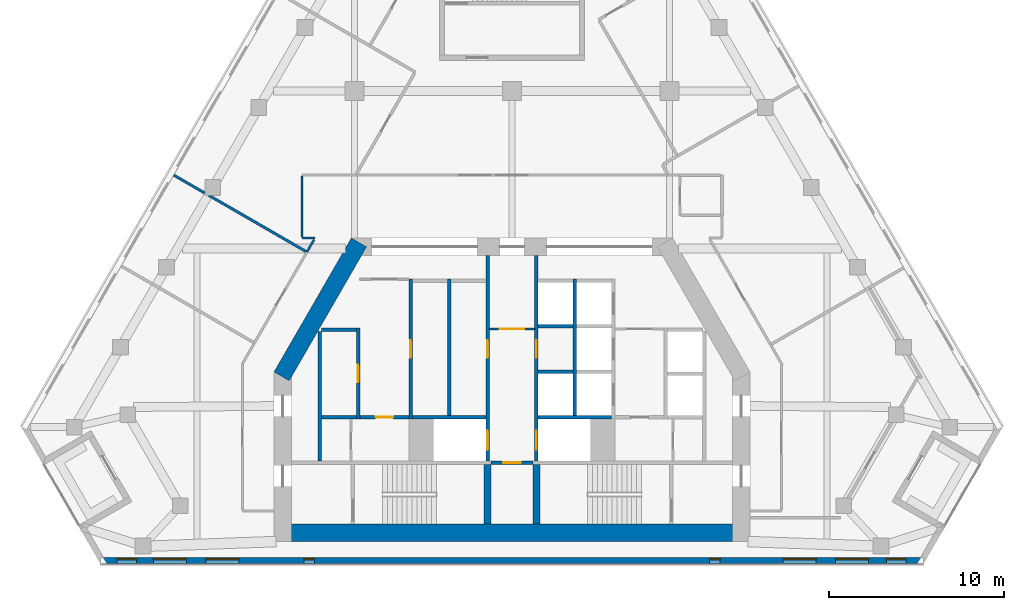
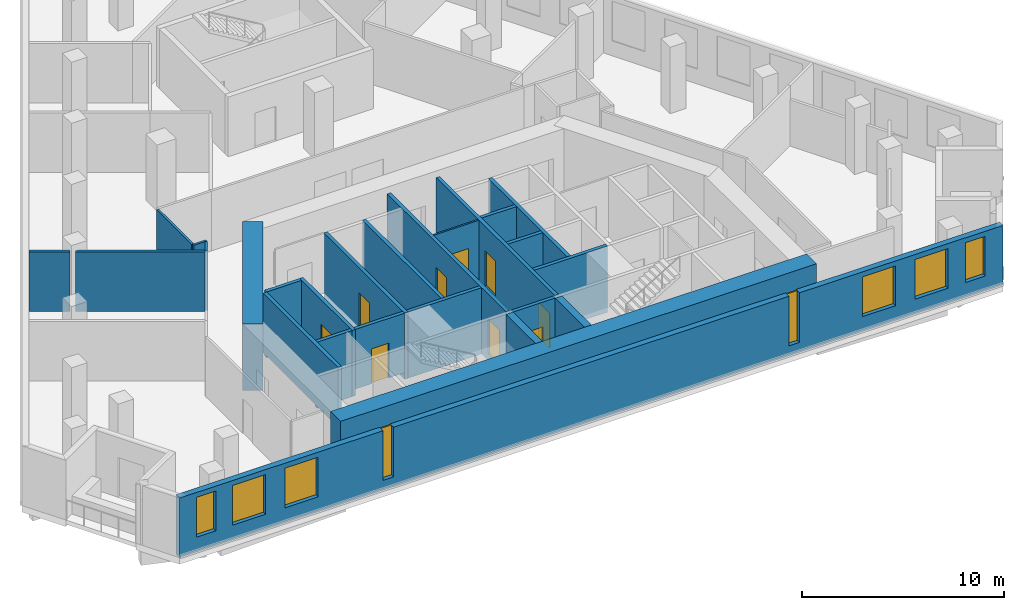
# One storey, part 4 of 9: 26 walls, 9 doors, 8 windows, 17 openings.
"""IFC4 building model written with IfcOpenShell, lengths in metres."""

from ifc_helpers import new_model, si_unit, direction, frame, frame_2d, origin, place, context, subcontext, project, spatial, rectangle, extrude, material, layer, layer_set, type_object, element, fill, save


model = new_model("IFC4")

# Units and contexts
model_context = context("Model", 3, precision=1e-05, world=origin(), true_north=direction((0.0, 1.0)))
body_context = subcontext(model_context, "Body", "Model", "MODEL_VIEW")
ifc_project = project(units=[si_unit("LENGTHUNIT", "METRE"), si_unit("AREAUNIT", "SQUARE_METRE"), si_unit("VOLUMEUNIT", "CUBIC_METRE"), si_unit("PLANEANGLEUNIT", "RADIAN"), si_unit("MASSUNIT", "GRAM", prefix="KILO")], contexts=[model_context])

# Site, building, storey
site_placement = place(None, origin())
site = spatial("IfcSite", under=ifc_project, at=site_placement, CompositionType="ELEMENT")
building_placement = place(site_placement, origin())
building = spatial("IfcBuilding", under=site, at=building_placement, Name="Fogline Exchange Tower", CompositionType="ELEMENT")
storey_placement = place(building_placement, frame((0.0, 0.0, 190.10009765625)))
storey = spatial("IfcBuildingStorey", under=building, at=storey_placement, Name="L42", CompositionType="ELEMENT", Elevation=190.10009765625)

# Wall, opening, door
ifc_material_1 = material(Name="Blockwork partition", Category="masonry")
ifc_layer_1 = layer(ifc_material_1, 0.10009765625)
ifc_layer_set_1 = layer_set([ifc_layer_1], Name="CW10")
wall_type_1 = type_object("IfcWallType", Name="CW10", PredefinedType="PARTITIONING", material=ifc_layer_set_1)
wall_1_placement = place(storey_placement, frame((-1.300048828125, 13.39990234375, 0.0), z_axis=(0.0, 0.0, 1.0), x_axis=(1.0, 0.0, 0.0)))
wall_1 = element("IfcWall", 1, at=wall_1_placement, inside=storey, type_object=wall_type_1, Name="Lift lobby partition", PredefinedType="PARTITIONING", context=body_context, shape_type="SweptSolid", body=[
    extrude(rectangle(XDim=2.60009765625, YDim=0.10009765625, at=frame_2d((1.300048828125, 0.0))), origin(), (0.0, 0.0, 1.0), 3.599853515625),
])
opening_1_placement = place(wall_1_placement, frame((0.60009765625, 0.0, 0.0)))
opening_1 = element("IfcOpeningElement", 2, at=opening_1_placement, cuts=wall_1, Name="Opening T13-C018", PredefinedType="OPENING", context=body_context, shape_type="SweptSolid", body=[
    extrude(rectangle(XDim=1.39990234375, YDim=2.10009765625, at=frame_2d((0.699951171875, 1.050048828125))), frame((0.0, 0.06005859375, 0.0), z_axis=(0.0, -1.0, 0.0), x_axis=(1.0, 0.0, 0.0)), (0.0, 0.0, 1.0), 0.1201171875),
])
ifc_material_2 = material(Name="Steel and timber fire door", Category="steel")
door_type_1 = type_object("IfcDoorType", Name="D-LB1", OperationType="DOUBLE_DOOR_SINGLE_SWING", PredefinedType="DOOR", material=ifc_material_2)
door_1_placement = place(opening_1_placement, origin())
door_1 = element("IfcDoor", 3, at=door_1_placement, inside=storey, type_object=door_type_1, Name="Door to firefighting lift lobby", OperationType="DOUBLE_DOOR_SINGLE_SWING", OverallHeight=2.10009765625, OverallWidth=1.39990234375, PredefinedType="DOOR", context=body_context, shape_type="SweptSolid", body=[
    extrude(rectangle(XDim=1.39990234375, YDim=2.10009765625, at=frame_2d((0.699951171875, 1.050048828125))), frame((0.0, 0.02490234375, 0.0), z_axis=(0.0, -1.0, 0.0), x_axis=(1.0, 0.0, 0.0)), (0.0, 0.0, 1.0), 0.050048828125),
])
fill(opening_1, door_1)

# Wall
ifc_material_3 = material(Name="Concrete C40", Category="concrete")
ifc_layer_2 = layer(ifc_material_3, 0.199951171875)
ifc_layer_set_2 = layer_set([ifc_layer_2], Name="CW20")
wall_type_2 = type_object("IfcWallType", Name="CW20", PredefinedType="SOLIDWALL", material=ifc_layer_set_2)
wall_2_placement = place(storey_placement, frame((-11.0, 5.85009765625, 0.0), z_axis=(0.0, 0.0, 1.0), x_axis=(0.0, 1.0, 0.0)))
element("IfcWall", 4, at=wall_2_placement, inside=storey, type_object=wall_type_2, Name="Service room wall", PredefinedType="SOLIDWALL", context=body_context, shape_type="SweptSolid", body=[
    extrude(rectangle(XDim=7.39990234375, YDim=0.199951171875, at=frame_2d((3.699951171875, 0.0))), origin(), (0.0, 0.0, 1.0), 3.599853515625),
])

# Wall, opening, door
wall_3_placement = place(storey_placement, frame((-8.699951171875, 8.35009765625, 0.0), z_axis=(0.0, 0.0, 1.0), x_axis=(1.0, 0.0, 0.0)))
wall_3 = element("IfcWall", 5, at=wall_3_placement, inside=storey, type_object=wall_type_2, Name="WC wall", PredefinedType="SOLIDWALL", context=body_context, shape_type="SweptSolid", body=[
    extrude(rectangle(XDim=2.800048828125, YDim=0.199951171875, at=frame_2d((1.39990234375, 0.0))), origin(), (0.0, 0.0, 1.0), 3.599853515625),
])
opening_2_placement = place(wall_3_placement, frame((0.89990234375, 0.0, 0.0)))
opening_2 = element("IfcOpeningElement", 6, at=opening_2_placement, cuts=wall_3, Name="Opening T13-C007", PredefinedType="OPENING", context=body_context, shape_type="SweptSolid", body=[
    extrude(rectangle(XDim=1.0, YDim=2.10009765625, at=frame_2d((0.5, 1.050048828125))), frame((0.0, 0.10986328125, 0.0), z_axis=(0.0, -1.0, 0.0), x_axis=(1.0, 0.0, 0.0)), (0.0, 0.0, 1.0), 0.219970703125),
])
door_type_2 = type_object("IfcDoorType", Name="D-WC1", OperationType="SINGLE_SWING_LEFT", PredefinedType="DOOR", material=ifc_material_2)
door_2_placement = place(opening_2_placement, frame((1.0, 0.0, 0.0), z_axis=(0.0, 0.0, 1.0), x_axis=(-1.0, 0.0, 0.0)))
door_2 = element("IfcDoor", 7, at=door_2_placement, inside=storey, type_object=door_type_2, Name="Door to Men's WC", OperationType="SINGLE_SWING_LEFT", OverallHeight=2.10009765625, OverallWidth=1.0, PredefinedType="DOOR", context=body_context, shape_type="SweptSolid", body=[
    extrude(rectangle(XDim=1.0, YDim=2.10009765625, at=frame_2d((0.5, 1.050048828125))), frame((0.0, 0.02490234375, 0.0), z_axis=(0.0, -1.0, 0.0), x_axis=(1.0, 0.0, 0.0)), (0.0, 0.0, 1.0), 0.050048828125),
])
fill(opening_2, door_2)

ifc_layer_3 = layer(ifc_material_3, 0.199951171875)
ifc_layer_set_3 = layer_set([ifc_layer_3], Name="CW20R")
wall_type_3 = type_object("IfcWallType", Name="CW20R", PredefinedType="SOLIDWALL", material=ifc_layer_set_3)
wall_4_placement = place(storey_placement, frame((-1.199951171875, 5.75, -0.400146484375), z_axis=(0.0, 0.0, 1.0), x_axis=(1.0, 0.0, 0.0)))
wall_4 = element("IfcWall", 8, at=wall_4_placement, inside=storey, type_object=wall_type_3, Name="Stair enclosure wall", PredefinedType="SOLIDWALL", context=body_context, shape_type="SweptSolid", body=[
    extrude(rectangle(XDim=2.39990234375, YDim=0.199951171875, at=frame_2d((1.199951171875, 0.0))), origin(), (0.0, 0.0, 1.0), 4.0),
])
opening_3_placement = place(wall_4_placement, frame((0.699951171875, 0.0, 0.39990234375)))
opening_3 = element("IfcOpeningElement", 9, at=opening_3_placement, cuts=wall_4, Name="Opening T13-C005", PredefinedType="OPENING", context=body_context, shape_type="SweptSolid", body=[
    extrude(rectangle(XDim=1.0, YDim=2.10009765625, at=frame_2d((0.5, 1.050048828125))), frame((0.0, 0.10986328125, 0.0), z_axis=(0.0, -1.0, 0.0), x_axis=(1.0, 0.0, 0.0)), (0.0, 0.0, 1.0), 0.219970703125),
])
door_type_3 = type_object("IfcDoorType", Name="D-RM1", OperationType="SINGLE_SWING_LEFT", PredefinedType="DOOR", material=ifc_material_2)
door_3_placement = place(opening_3_placement, frame((1.0, 0.0, 0.0), z_axis=(0.0, 0.0, 1.0), x_axis=(-1.0, 0.0, 0.0)))
door_3 = element("IfcDoor", 10, at=door_3_placement, inside=storey, type_object=door_type_3, Name="Door to Riser Room", OperationType="SINGLE_SWING_RIGHT", OverallHeight=2.10009765625, OverallWidth=1.0, PredefinedType="DOOR", context=body_context, shape_type="SweptSolid", body=[
    extrude(rectangle(XDim=1.0, YDim=2.10009765625, at=frame_2d((0.5, 1.050048828125))), frame((0.0, 0.02490234375, 0.0), z_axis=(0.0, -1.0, 0.0), x_axis=(1.0, 0.0, 0.0)), (0.0, 0.0, 1.0), 0.050048828125),
])
fill(opening_3, door_3)

ifc_layer_4 = layer(ifc_material_3, 0.199951171875)
ifc_layer_set_4 = layer_set([ifc_layer_4], Name="CW20S")
wall_type_4 = type_object("IfcWallType", Name="CW20S", PredefinedType="SOLIDWALL", material=ifc_layer_set_4)
wall_5_placement = place(storey_placement, frame((-8.800048828125, 8.25, -0.400146484375), z_axis=(0.0, 0.0, 1.0), x_axis=(0.0, 1.0, 0.0)))
wall_5 = element("IfcWall", 11, at=wall_5_placement, inside=storey, type_object=wall_type_4, Name="Lift shaft wall", PredefinedType="SOLIDWALL", context=body_context, shape_type="SweptSolid", body=[
    extrude(rectangle(XDim=5.199951171875, YDim=0.199951171875, at=frame_2d((2.60009765625, 0.0))), origin(), (0.0, 0.0, 1.0), 4.0),
])
opening_4_placement = place(wall_5_placement, frame((2.10009765625, 0.0, 0.39990234375)))
opening_4 = element("IfcOpeningElement", 12, at=opening_4_placement, cuts=wall_5, Name="Opening T13-C001", PredefinedType="OPENING", context=body_context, shape_type="SweptSolid", body=[
    extrude(rectangle(XDim=1.0, YDim=2.10009765625, at=frame_2d((0.5, 1.050048828125))), frame((0.0, 0.10986328125, 0.0), z_axis=(0.0, -1.0, 0.0), x_axis=(1.0, 0.0, 0.0)), (0.0, 0.0, 1.0), 0.219970703125),
])
door_4_placement = place(opening_4_placement, origin())
door_4 = element("IfcDoor", 13, at=door_4_placement, inside=storey, type_object=door_type_3, Name="Door to Records Room", OperationType="SINGLE_SWING_RIGHT", OverallHeight=2.10009765625, OverallWidth=1.0, PredefinedType="DOOR", context=body_context, shape_type="SweptSolid", body=[
    extrude(rectangle(XDim=1.0, YDim=2.10009765625, at=frame_2d((0.5, 1.050048828125))), frame((0.0, 0.02490234375, 0.0), z_axis=(0.0, -1.0, 0.0), x_axis=(1.0, 0.0, 0.0)), (0.0, 0.0, 1.0), 0.050048828125),
])
fill(opening_4, door_4)

wall_6_placement = place(storey_placement, frame((-5.800048828125, 8.25, -0.400146484375), z_axis=(0.0, 0.0, 1.0), x_axis=(0.0, 1.0, 0.0)))
wall_6 = element("IfcWall", 14, at=wall_6_placement, inside=storey, type_object=wall_type_4, Name="Lift shaft wall", PredefinedType="SOLIDWALL", context=body_context, shape_type="SweptSolid", body=[
    extrude(rectangle(XDim=8.0, YDim=0.199951171875, at=frame_2d((4.0, 0.0))), origin(), (0.0, 0.0, 1.0), 4.0),
])
opening_5_placement = place(wall_6_placement, frame((3.5, 0.0, 0.39990234375)))
opening_5 = element("IfcOpeningElement", 15, at=opening_5_placement, cuts=wall_6, Name="Opening T13-C002", PredefinedType="OPENING", context=body_context, shape_type="SweptSolid", body=[
    extrude(rectangle(XDim=1.0, YDim=2.10009765625, at=frame_2d((0.5, 1.050048828125))), frame((0.0, 0.10986328125, 0.0), z_axis=(0.0, -1.0, 0.0), x_axis=(1.0, 0.0, 0.0)), (0.0, 0.0, 1.0), 0.219970703125),
])
door_5_placement = place(opening_5_placement, frame((1.0, 0.0, 0.0), z_axis=(0.0, 0.0, 1.0), x_axis=(-1.0, 0.0, 0.0)))
door_5 = element("IfcDoor", 16, at=door_5_placement, inside=storey, type_object=door_type_3, Name="Door to Service Hall", OperationType="SINGLE_SWING_RIGHT", OverallHeight=2.10009765625, OverallWidth=1.0, PredefinedType="DOOR", context=body_context, shape_type="SweptSolid", body=[
    extrude(rectangle(XDim=1.0, YDim=2.10009765625, at=frame_2d((0.5, 1.050048828125))), frame((0.0, 0.02490234375, 0.0), z_axis=(0.0, -1.0, 0.0), x_axis=(1.0, 0.0, 0.0)), (0.0, 0.0, 1.0), 0.050048828125),
])
fill(opening_5, door_5)

# Walls
for number, where, z_axis, x_axis, name in (
    (17, (-3.60009765625, 8.449951171875, -0.400146484375), (0.0, 0.0, 1.0), (0.0, 1.0, 0.0), "Lift shaft wall"),
    (18, (3.60009765625, 8.449951171875, -0.400146484375), (0.0, 0.0, 1.0), (0.0, 1.0, 0.0), "Lift shaft wall"),
):
    element("IfcWall", number, at=place(storey_placement, frame(where, z_axis=z_axis, x_axis=x_axis)), inside=storey, type_object=wall_type_4, Name=name, PredefinedType="SOLIDWALL", context=body_context, shape_type="SweptSolid", body=[
        extrude(rectangle(XDim=7.800048828125, YDim=0.199951171875, at=frame_2d((3.89990234375, 0.0))), origin(), (0.0, 0.0, 1.0), 4.0),
    ])

# Wall, openings, doors
wall_7_placement = place(storey_placement, frame((-1.39990234375, 5.85009765625, -0.400146484375), z_axis=(0.0, 0.0, 1.0), x_axis=(0.0, 1.0, 0.0)))
wall_7 = element("IfcWall", 19, at=wall_7_placement, inside=storey, type_object=wall_type_4, Name="Lift lobby wall", PredefinedType="SOLIDWALL", context=body_context, shape_type="SweptSolid", body=[
    extrude(rectangle(XDim=11.75, YDim=0.199951171875, at=frame_2d((5.875, 0.0))), origin(), (0.0, 0.0, 1.0), 4.0),
])
opening_6_placement = place(wall_7_placement, frame((0.64990234375, 0.0, 0.39990234375)))
opening_6 = element("IfcOpeningElement", 20, at=opening_6_placement, cuts=wall_7, Name="Opening T13-LD01", PredefinedType="OPENING", context=body_context, shape_type="SweptSolid", body=[
    extrude(rectangle(XDim=1.10009765625, YDim=2.10009765625, at=frame_2d((0.550048828125, 1.050048828125))), frame((0.0, 0.10986328125, 0.0), z_axis=(0.0, -1.0, 0.0), x_axis=(1.0, 0.0, 0.0)), (0.0, 0.0, 1.0), 0.219970703125),
])
opening_7_placement = place(wall_7_placement, frame((5.89990234375, 0.0, 0.39990234375)))
opening_7 = element("IfcOpeningElement", 21, at=opening_7_placement, cuts=wall_7, Name="Opening T13-C003", PredefinedType="OPENING", context=body_context, shape_type="SweptSolid", body=[
    extrude(rectangle(XDim=1.0, YDim=2.10009765625, at=frame_2d((0.5, 1.050048828125))), frame((0.0, 0.10986328125, 0.0), z_axis=(0.0, -1.0, 0.0), x_axis=(1.0, 0.0, 0.0)), (0.0, 0.0, 1.0), 0.219970703125),
])
door_6_placement = place(opening_7_placement, origin())
door_6 = element("IfcDoor", 22, at=door_6_placement, inside=storey, type_object=door_type_3, Name="Door to Records Hall", OperationType="SINGLE_SWING_LEFT", OverallHeight=2.10009765625, OverallWidth=1.0, PredefinedType="DOOR", context=body_context, shape_type="SweptSolid", body=[
    extrude(rectangle(XDim=1.0, YDim=2.10009765625, at=frame_2d((0.5, 1.050048828125))), frame((0.0, 0.02490234375, 0.0), z_axis=(0.0, -1.0, 0.0), x_axis=(1.0, 0.0, 0.0)), (0.0, 0.0, 1.0), 0.050048828125),
])
fill(opening_7, door_6)
door_type_4 = type_object("IfcDoorType", Name="LD2", OperationType="SLIDING_TO_RIGHT", PredefinedType="DOOR", material=ifc_material_2)
door_7_placement = place(opening_6_placement, origin())
door_7 = element("IfcDoor", 23, at=door_7_placement, inside=storey, type_object=door_type_4, Name="Landing door FF1", OperationType="SLIDING_TO_RIGHT", OverallHeight=2.10009765625, OverallWidth=1.10009765625, PredefinedType="DOOR", context=body_context, shape_type="SweptSolid", body=[
    extrude(rectangle(XDim=1.10009765625, YDim=2.10009765625, at=frame_2d((0.550048828125, 1.050048828125))), frame((0.0, 0.02490234375, 0.0), z_axis=(0.0, -1.0, 0.0), x_axis=(1.0, 0.0, 0.0)), (0.0, 0.0, 1.0), 0.050048828125),
])
fill(opening_6, door_7)

wall_8_placement = place(storey_placement, frame((1.39990234375, 5.85009765625, -0.400146484375), z_axis=(0.0, 0.0, 1.0), x_axis=(0.0, 1.0, 0.0)))
wall_8 = element("IfcWall", 24, at=wall_8_placement, inside=storey, type_object=wall_type_4, Name="Lift lobby wall", PredefinedType="SOLIDWALL", context=body_context, shape_type="SweptSolid", body=[
    extrude(rectangle(XDim=11.75, YDim=0.199951171875, at=frame_2d((5.875, 0.0))), origin(), (0.0, 0.0, 1.0), 4.0),
])
opening_8_placement = place(wall_8_placement, frame((0.64990234375, 0.0, 0.39990234375)))
opening_8 = element("IfcOpeningElement", 25, at=opening_8_placement, cuts=wall_8, Name="Opening T13-LD05", PredefinedType="OPENING", context=body_context, shape_type="SweptSolid", body=[
    extrude(rectangle(XDim=1.10009765625, YDim=2.10009765625, at=frame_2d((0.550048828125, 1.050048828125))), frame((0.0, 0.10986328125, 0.0), z_axis=(0.0, -1.0, 0.0), x_axis=(1.0, 0.0, 0.0)), (0.0, 0.0, 1.0), 0.219970703125),
])
opening_9_placement = place(wall_8_placement, frame((5.89990234375, 0.0, 0.39990234375)))
opening_9 = element("IfcOpeningElement", 26, at=opening_9_placement, cuts=wall_8, Name="Opening T13-C004", PredefinedType="OPENING", context=body_context, shape_type="SweptSolid", body=[
    extrude(rectangle(XDim=1.0, YDim=2.10009765625, at=frame_2d((0.5, 1.050048828125))), frame((0.0, 0.10986328125, 0.0), z_axis=(0.0, -1.0, 0.0), x_axis=(1.0, 0.0, 0.0)), (0.0, 0.0, 1.0), 0.219970703125),
])
door_8_placement = place(opening_9_placement, frame((1.0, 0.0, 0.0), z_axis=(0.0, 0.0, 1.0), x_axis=(-1.0, 0.0, 0.0)))
door_8 = element("IfcDoor", 27, at=door_8_placement, inside=storey, type_object=door_type_3, Name="Door to Plant Room", OperationType="SINGLE_SWING_RIGHT", OverallHeight=2.10009765625, OverallWidth=1.0, PredefinedType="DOOR", context=body_context, shape_type="SweptSolid", body=[
    extrude(rectangle(XDim=1.0, YDim=2.10009765625, at=frame_2d((0.5, 1.050048828125))), frame((0.0, 0.02490234375, 0.0), z_axis=(0.0, -1.0, 0.0), x_axis=(1.0, 0.0, 0.0)), (0.0, 0.0, 1.0), 0.050048828125),
])
fill(opening_9, door_8)
door_9_placement = place(opening_8_placement, origin())
door_9 = element("IfcDoor", 28, at=door_9_placement, inside=storey, type_object=door_type_4, Name="Landing door FF2", OperationType="SLIDING_TO_RIGHT", OverallHeight=2.10009765625, OverallWidth=1.10009765625, PredefinedType="DOOR", context=body_context, shape_type="SweptSolid", body=[
    extrude(rectangle(XDim=1.10009765625, YDim=2.10009765625, at=frame_2d((0.550048828125, 1.050048828125))), frame((0.0, 0.02490234375, 0.0), z_axis=(0.0, -1.0, 0.0), x_axis=(1.0, 0.0, 0.0)), (0.0, 0.0, 1.0), 0.050048828125),
])
fill(opening_8, door_9)

# Walls
wall_9_placement = place(storey_placement, frame((-10.89990234375, 8.35009765625, -0.400146484375), z_axis=(0.0, 0.0, 1.0), x_axis=(1.0, 0.0, 0.0)))
element("IfcWall", 29, at=wall_9_placement, inside=storey, type_object=wall_type_4, Name="Lift shaft wall", PredefinedType="SOLIDWALL", context=body_context, shape_type="SweptSolid", body=[
    extrude(rectangle(XDim=2.0, YDim=0.199951171875, at=frame_2d((1.0, 0.0))), origin(), (0.0, 0.0, 1.0), 4.0),
])
for number, where, z_axis, x_axis, name in (
    (30, (-5.699951171875, 8.35009765625, -0.400146484375), (0.0, 0.0, 1.0), (1.0, 0.0, 0.0), "Lift shaft wall"),
    (31, (1.5, 8.35009765625, -0.400146484375), (0.0, 0.0, 1.0), (1.0, 0.0, 0.0), "Lift shaft wall"),
):
    element("IfcWall", number, at=place(storey_placement, frame(where, z_axis=z_axis, x_axis=x_axis)), inside=storey, type_object=wall_type_4, Name=name, PredefinedType="SOLIDWALL", context=body_context, shape_type="SweptSolid", body=[
        extrude(rectangle(XDim=4.199951171875, YDim=0.199951171875, at=frame_2d((2.10009765625, 0.0))), origin(), (0.0, 0.0, 1.0), 4.0),
    ])
for number, where, z_axis, x_axis, name in (
    (32, (-10.89990234375, 13.35009765625, -0.400146484375), (0.0, 0.0, 1.0), (1.0, 0.0, 0.0), "Lift shaft wall"),
    (33, (1.5, 10.949951171875, -0.400146484375), (0.0, 0.0, 1.0), (1.0, 0.0, 0.0), "Lift shaft wall"),
    (34, (1.5, 13.550048828125, -0.400146484375), (0.0, 0.0, 1.0), (1.0, 0.0, 0.0), "Lift shaft wall"),
):
    element("IfcWall", number, at=place(storey_placement, frame(where, z_axis=z_axis, x_axis=x_axis)), inside=storey, type_object=wall_type_4, Name=name, PredefinedType="SOLIDWALL", context=body_context, shape_type="SweptSolid", body=[
        extrude(rectangle(XDim=2.0, YDim=0.199951171875, at=frame_2d((1.0, 0.0))), origin(), (0.0, 0.0, 1.0), 4.0),
    ])
ifc_layer_5 = layer(ifc_material_3, 0.39990234375)
ifc_layer_set_5 = layer_set([ifc_layer_5], Name="CW40R")
wall_type_5 = type_object("IfcWallType", Name="CW40R", PredefinedType="SOLIDWALL", material=ifc_layer_set_5)
for number, where, z_axis, x_axis, name in (
    (35, (-1.39990234375, 2.25, -0.400146484375), (0.0, 0.0, 1.0), (0.0, 1.0, 0.0), "Stair and lift shaft wall"),
    (36, (1.39990234375, 2.25, -0.400146484375), (0.0, 0.0, 1.0), (0.0, 1.0, 0.0), "Stair and lift shaft wall"),
):
    element("IfcWall", number, at=place(storey_placement, frame(where, z_axis=z_axis, x_axis=x_axis)), inside=storey, type_object=wall_type_5, Name=name, PredefinedType="SOLIDWALL", context=body_context, shape_type="SweptSolid", body=[
        extrude(rectangle(XDim=3.39990234375, YDim=0.39990234375, at=frame_2d((1.699951171875, 0.0))), origin(), (0.0, 0.0, 1.0), 4.0),
    ])

# Wall, openings, windows
ifc_material_4 = material(Name="Brick masonry", Category="masonry")
ifc_layer_6 = layer(ifc_material_4, 0.340087890625)
ifc_layer_set_6 = layer_set([ifc_layer_6], Name="FW1")
wall_type_6 = type_object("IfcWallType", Name="FW1", PredefinedType="SOLIDWALL", material=ifc_layer_set_6)
wall_10_placement = place(storey_placement, frame((-23.53125, 0.169921875, 0.0), z_axis=(0.0, 0.0, 1.0), x_axis=(1.0, 0.0, 0.0)))
wall_10 = element("IfcWall", 37, at=wall_10_placement, inside=storey, type_object=wall_type_6, Name="Brick wall L42 S", PredefinedType="SOLIDWALL", context=body_context, shape_type="SweptSolid", body=[
    extrude(rectangle(XDim=47.0625, YDim=0.340087890625, at=frame_2d((23.53125, 0.0))), origin(), (0.0, 0.0, 1.0), 3.599853515625),
])
opening_10_placement = place(wall_10_placement, frame((3.03125, 0.0, 0.89990234375)))
opening_10 = element("IfcOpeningElement", 38, at=opening_10_placement, cuts=wall_10, Name="Opening W1", PredefinedType="OPENING", context=body_context, shape_type="SweptSolid", body=[
    extrude(rectangle(XDim=1.885009765625, YDim=2.39990234375, at=frame_2d((0.9423828125, 1.199951171875))), frame((0.0, 0.18017578125, 0.0), z_axis=(0.0, -1.0, 0.0), x_axis=(1.0, 0.0, 0.0)), (0.0, 0.0, 1.0), 0.360107421875),
])
opening_11_placement = place(wall_10_placement, frame((6.03125, 0.0, 0.89990234375)))
opening_11 = element("IfcOpeningElement", 39, at=opening_11_placement, cuts=wall_10, Name="Opening W1", PredefinedType="OPENING", context=body_context, shape_type="SweptSolid", body=[
    extrude(rectangle(XDim=1.885009765625, YDim=2.39990234375, at=frame_2d((0.9423828125, 1.199951171875))), frame((0.0, 0.18017578125, 0.0), z_axis=(0.0, -1.0, 0.0), x_axis=(1.0, 0.0, 0.0)), (0.0, 0.0, 1.0), 0.360107421875),
])
opening_12_placement = place(wall_10_placement, frame((39.03125, 0.0, 0.89990234375)))
opening_12 = element("IfcOpeningElement", 40, at=opening_12_placement, cuts=wall_10, Name="Opening W1", PredefinedType="OPENING", context=body_context, shape_type="SweptSolid", body=[
    extrude(rectangle(XDim=1.885009765625, YDim=2.39990234375, at=frame_2d((0.9423828125, 1.199951171875))), frame((0.0, 0.18017578125, 0.0), z_axis=(0.0, -1.0, 0.0), x_axis=(1.0, 0.0, 0.0)), (0.0, 0.0, 1.0), 0.360107421875),
])
opening_13_placement = place(wall_10_placement, frame((42.03125, 0.0, 0.89990234375)))
opening_13 = element("IfcOpeningElement", 41, at=opening_13_placement, cuts=wall_10, Name="Opening W1", PredefinedType="OPENING", context=body_context, shape_type="SweptSolid", body=[
    extrude(rectangle(XDim=1.885009765625, YDim=2.39990234375, at=frame_2d((0.9423828125, 1.199951171875))), frame((0.0, 0.18017578125, 0.0), z_axis=(0.0, -1.0, 0.0), x_axis=(1.0, 0.0, 0.0)), (0.0, 0.0, 1.0), 0.360107421875),
])
opening_14_placement = place(wall_10_placement, frame((0.958251953125, 0.0, 0.89990234375)))
opening_14 = element("IfcOpeningElement", 42, at=opening_14_placement, cuts=wall_10, Name="Opening W4", PredefinedType="OPENING", context=body_context, shape_type="SweptSolid", body=[
    extrude(rectangle(XDim=1.114990234375, YDim=2.39990234375, at=frame_2d((0.5576171875, 1.199951171875))), frame((0.0, 0.18017578125, 0.0), z_axis=(0.0, -1.0, 0.0), x_axis=(1.0, 0.0, 0.0)), (0.0, 0.0, 1.0), 0.360107421875),
])
opening_15_placement = place(wall_10_placement, frame((44.931884765625, 0.0, 0.89990234375)))
opening_15 = element("IfcOpeningElement", 43, at=opening_15_placement, cuts=wall_10, Name="Opening W4", PredefinedType="OPENING", context=body_context, shape_type="SweptSolid", body=[
    extrude(rectangle(XDim=1.114990234375, YDim=2.39990234375, at=frame_2d((0.5576171875, 1.199951171875))), frame((0.0, 0.18017578125, 0.0), z_axis=(0.0, -1.0, 0.0), x_axis=(1.0, 0.0, 0.0)), (0.0, 0.0, 1.0), 0.360107421875),
])
opening_16_placement = place(wall_10_placement, frame((11.63134765625, 0.0, 0.60009765625)))
opening_16 = element("IfcOpeningElement", 44, at=opening_16_placement, cuts=wall_10, Name="Opening W5", PredefinedType="OPENING", context=body_context, shape_type="SweptSolid", body=[
    extrude(rectangle(XDim=0.60009765625, YDim=3.0, at=frame_2d((0.300048828125, 1.5))), frame((0.0, 0.18017578125, 0.0), z_axis=(0.0, -1.0, 0.0), x_axis=(1.0, 0.0, 0.0)), (0.0, 0.0, 1.0), 0.360107421875),
])
opening_17_placement = place(wall_10_placement, frame((34.831298828125, 0.0, 0.60009765625)))
opening_17 = element("IfcOpeningElement", 45, at=opening_17_placement, cuts=wall_10, Name="Opening W5", PredefinedType="OPENING", context=body_context, shape_type="SweptSolid", body=[
    extrude(rectangle(XDim=0.60009765625, YDim=3.0, at=frame_2d((0.300048828125, 1.5))), frame((0.0, 0.18017578125, 0.0), z_axis=(0.0, -1.0, 0.0), x_axis=(1.0, 0.0, 0.0)), (0.0, 0.0, 1.0), 0.360107421875),
])
ifc_material_5 = material(Name="Aluminium and glass", Category="aluminium")
window_type_1 = type_object("IfcWindowType", Name="W1", PartitioningType="SINGLE_PANEL", PredefinedType="WINDOW", material=ifc_material_5)
window_1_placement = place(opening_10_placement, origin())
window_1 = element("IfcWindow", 46, at=window_1_placement, inside=storey, type_object=window_type_1, Name="W1 W1", OverallHeight=2.39990234375, OverallWidth=1.885009765625, PartitioningType="SINGLE_PANEL", PredefinedType="WINDOW", context=body_context, shape_type="SweptSolid", body=[
    extrude(rectangle(XDim=1.885009765625, YDim=2.39990234375, at=frame_2d((0.9423828125, 1.199951171875))), frame((0.0, 0.110107421875, 0.0), z_axis=(0.0, -1.0, 0.0), x_axis=(1.0, 0.0, 0.0)), (0.0, 0.0, 1.0), 0.06005859375),
])
fill(opening_10, window_1)
window_2_placement = place(opening_11_placement, origin())
window_2 = element("IfcWindow", 47, at=window_2_placement, inside=storey, type_object=window_type_1, Name="W1 W1", OverallHeight=2.39990234375, OverallWidth=1.885009765625, PartitioningType="SINGLE_PANEL", PredefinedType="WINDOW", context=body_context, shape_type="SweptSolid", body=[
    extrude(rectangle(XDim=1.885009765625, YDim=2.39990234375, at=frame_2d((0.9423828125, 1.199951171875))), frame((0.0, 0.110107421875, 0.0), z_axis=(0.0, -1.0, 0.0), x_axis=(1.0, 0.0, 0.0)), (0.0, 0.0, 1.0), 0.06005859375),
])
fill(opening_11, window_2)
window_3_placement = place(opening_12_placement, origin())
window_3 = element("IfcWindow", 48, at=window_3_placement, inside=storey, type_object=window_type_1, Name="W1 W1", OverallHeight=2.39990234375, OverallWidth=1.885009765625, PartitioningType="SINGLE_PANEL", PredefinedType="WINDOW", context=body_context, shape_type="SweptSolid", body=[
    extrude(rectangle(XDim=1.885009765625, YDim=2.39990234375, at=frame_2d((0.9423828125, 1.199951171875))), frame((0.0, 0.110107421875, 0.0), z_axis=(0.0, -1.0, 0.0), x_axis=(1.0, 0.0, 0.0)), (0.0, 0.0, 1.0), 0.06005859375),
])
fill(opening_12, window_3)
window_4_placement = place(opening_13_placement, origin())
window_4 = element("IfcWindow", 49, at=window_4_placement, inside=storey, type_object=window_type_1, Name="W1 W1", OverallHeight=2.39990234375, OverallWidth=1.885009765625, PartitioningType="SINGLE_PANEL", PredefinedType="WINDOW", context=body_context, shape_type="SweptSolid", body=[
    extrude(rectangle(XDim=1.885009765625, YDim=2.39990234375, at=frame_2d((0.9423828125, 1.199951171875))), frame((0.0, 0.110107421875, 0.0), z_axis=(0.0, -1.0, 0.0), x_axis=(1.0, 0.0, 0.0)), (0.0, 0.0, 1.0), 0.06005859375),
])
fill(opening_13, window_4)
window_type_2 = type_object("IfcWindowType", Name="W4", PartitioningType="SINGLE_PANEL", PredefinedType="WINDOW", material=ifc_material_5)
window_5_placement = place(opening_14_placement, origin())
window_5 = element("IfcWindow", 50, at=window_5_placement, inside=storey, type_object=window_type_2, Name="W4 W4", OverallHeight=2.39990234375, OverallWidth=1.114990234375, PartitioningType="SINGLE_PANEL", PredefinedType="WINDOW", context=body_context, shape_type="SweptSolid", body=[
    extrude(rectangle(XDim=1.114990234375, YDim=2.39990234375, at=frame_2d((0.5576171875, 1.199951171875))), frame((0.0, 0.110107421875, 0.0), z_axis=(0.0, -1.0, 0.0), x_axis=(1.0, 0.0, 0.0)), (0.0, 0.0, 1.0), 0.06005859375),
])
fill(opening_14, window_5)
window_6_placement = place(opening_15_placement, origin())
window_6 = element("IfcWindow", 51, at=window_6_placement, inside=storey, type_object=window_type_2, Name="W4 W4", OverallHeight=2.39990234375, OverallWidth=1.114990234375, PartitioningType="SINGLE_PANEL", PredefinedType="WINDOW", context=body_context, shape_type="SweptSolid", body=[
    extrude(rectangle(XDim=1.114990234375, YDim=2.39990234375, at=frame_2d((0.5576171875, 1.199951171875))), frame((0.0, 0.110107421875, 0.0), z_axis=(0.0, -1.0, 0.0), x_axis=(1.0, 0.0, 0.0)), (0.0, 0.0, 1.0), 0.06005859375),
])
fill(opening_15, window_6)
window_type_3 = type_object("IfcWindowType", Name="W5", PartitioningType="SINGLE_PANEL", PredefinedType="WINDOW", material=ifc_material_5)
window_7_placement = place(opening_16_placement, origin())
window_7 = element("IfcWindow", 52, at=window_7_placement, inside=storey, type_object=window_type_3, Name="W5 W5", OverallHeight=3.0, OverallWidth=0.60009765625, PartitioningType="SINGLE_PANEL", PredefinedType="WINDOW", context=body_context, shape_type="SweptSolid", body=[
    extrude(rectangle(XDim=0.60009765625, YDim=3.0, at=frame_2d((0.300048828125, 1.5))), frame((0.0, 0.110107421875, 0.0), z_axis=(0.0, -1.0, 0.0), x_axis=(1.0, 0.0, 0.0)), (0.0, 0.0, 1.0), 0.06005859375),
])
fill(opening_16, window_7)
window_8_placement = place(opening_17_placement, origin())
window_8 = element("IfcWindow", 53, at=window_8_placement, inside=storey, type_object=window_type_3, Name="W5 W5", OverallHeight=3.0, OverallWidth=0.60009765625, PartitioningType="SINGLE_PANEL", PredefinedType="WINDOW", context=body_context, shape_type="SweptSolid", body=[
    extrude(rectangle(XDim=0.60009765625, YDim=3.0, at=frame_2d((0.300048828125, 1.5))), frame((0.0, 0.110107421875, 0.0), z_axis=(0.0, -1.0, 0.0), x_axis=(1.0, 0.0, 0.0)), (0.0, 0.0, 1.0), 0.06005859375),
])
fill(opening_17, window_8)

# Walls
ifc_material_6 = material(Name="Plasterboard corridor partition with mineral wool, 2 layers each side")
ifc_layer_7 = layer(ifc_material_6, 0.125)
ifc_layer_set_7 = layer_set([ifc_layer_7], Name="PW2")
wall_type_7 = type_object("IfcWallType", Name="PW2", PredefinedType="PARTITIONING", material=ifc_layer_set_7)
wall_11_placement = place(storey_placement, frame((-11.259033203125, 18.60009765625, 0.0), z_axis=(0.0, 0.0, 1.0), x_axis=(-1.0, 0.0, 0.0)))
element("IfcWall", 54, at=wall_11_placement, inside=storey, type_object=wall_type_7, Name="wall-L42-W011", PredefinedType="PARTITIONING", context=body_context, shape_type="SweptSolid", body=[
    extrude(rectangle(XDim=0.740966796875, YDim=0.125, at=frame_2d((0.37060546875, 0.0))), origin(), (0.0, 0.0, 1.0), 3.599853515625),
])
wall_12_placement = place(storey_placement, frame((-12.0, 18.66259765625, 0.0), z_axis=(0.0, 0.0, 1.0), x_axis=(0.0, 1.0, 0.0)))
element("IfcWall", 55, at=wall_12_placement, inside=storey, type_object=wall_type_7, Name="wall-L42-W012", PredefinedType="PARTITIONING", context=body_context, shape_type="SweptSolid", body=[
    extrude(rectangle(XDim=3.474853515625, YDim=0.125, at=frame_2d((1.7373046875, 0.0))), origin(), (0.0, 0.0, 1.0), 3.599853515625),
])
wall_13_placement = place(storey_placement, frame((-11.719482421875, 17.802490234375, 0.0), z_axis=(0.0, 0.0, 1.0), x_axis=(0.499921960197, 0.866070455398, 0.0)))
element("IfcWall", 56, at=wall_13_placement, inside=storey, type_object=wall_type_7, Name="wall-L42-W014", PredefinedType="PARTITIONING", context=body_context, shape_type="SweptSolid", body=[
    extrude(rectangle(XDim=0.812255859375, YDim=0.125, at=frame_2d((0.40625, 0.0))), origin(), (0.0, 0.0, 1.0), 3.599853515625),
])
ifc_material_7 = material(Name="Plasterboard demising partition with mineral wool and acoustic board")
ifc_layer_8 = layer(ifc_material_7, 0.14990234375)
ifc_layer_set_8 = layer_set([ifc_layer_8], Name="PW3")
wall_type_8 = type_object("IfcWallType", Name="PW3", PredefinedType="PARTITIONING", material=ifc_layer_set_8)
wall_14_placement = place(storey_placement, frame((-11.773681640625, 17.83349609375, 0.0), z_axis=(0.0, 0.0, 1.0), x_axis=(-0.866011447264, 0.500024172624, 0.0)))
element("IfcWall", 57, at=wall_14_placement, inside=storey, type_object=wall_type_8, Name="wall-L42-W039", PredefinedType="PARTITIONING", context=body_context, shape_type="SweptSolid", body=[
    extrude(rectangle(XDim=6.420654296875, YDim=0.14990234375, at=frame_2d((3.21044921875, 0.0))), origin(), (0.0, 0.0, 1.0), 3.599853515625),
])
wall_15_placement = place(storey_placement, frame((-17.55517578125, 21.17138671875, 0.0), z_axis=(0.0, 0.0, 1.0), x_axis=(-0.865962786951, 0.500108439857, 0.0)))
element("IfcWall", 58, at=wall_15_placement, inside=storey, type_object=wall_type_8, Name="wall-L42-W040", PredefinedType="PARTITIONING", context=body_context, shape_type="SweptSolid", body=[
    extrude(rectangle(XDim=2.0439453125, YDim=0.14990234375, at=frame_2d((1.02197265625, 0.0))), origin(), (0.0, 0.0, 1.0), 3.599853515625),
])
ifc_material_8 = material(Name="Concrete C60", Category="concrete")
ifc_layer_9 = layer(ifc_material_8, 1.0)
ifc_layer_set_9 = layer_set([ifc_layer_9], Name="SW03")
wall_type_9 = type_object("IfcWallType", Name="SW03", PredefinedType="SHEAR", material=ifc_layer_set_9)
wall_16_placement = place(storey_placement, frame((-13.60009765625, 1.75, 0.0), z_axis=(0.0, 0.0, 1.0), x_axis=(1.0, 0.0, 0.0)))
element("IfcWall", 59, at=wall_16_placement, inside=storey, type_object=wall_type_9, Name="L42-W901", PredefinedType="SHEAR", context=body_context, shape_type="SweptSolid", body=[
    extrude(rectangle(XDim=27.2001953125, YDim=1.0, at=frame_2d((13.60009765625, 0.0))), origin(), (0.0, 0.0, 1.0), 4.0),
])
wall_17_placement = place(storey_placement, frame((-8.74755859375, 18.35009765625, 0.0), z_axis=(0.0, 0.0, 1.0), x_axis=(-0.499995021168, -0.866028278295, 0.0)))
element("IfcWall", 60, at=wall_17_placement, inside=storey, type_object=wall_type_9, Name="L42-W905", PredefinedType="SHEAR", context=body_context, shape_type="SweptSolid", body=[
    extrude(rectangle(XDim=8.8388671875, YDim=1.0, at=frame_2d((4.41943359375, 0.0))), origin(), (0.0, 0.0, 1.0), 4.0),
])

save(model, "model.ifc")
